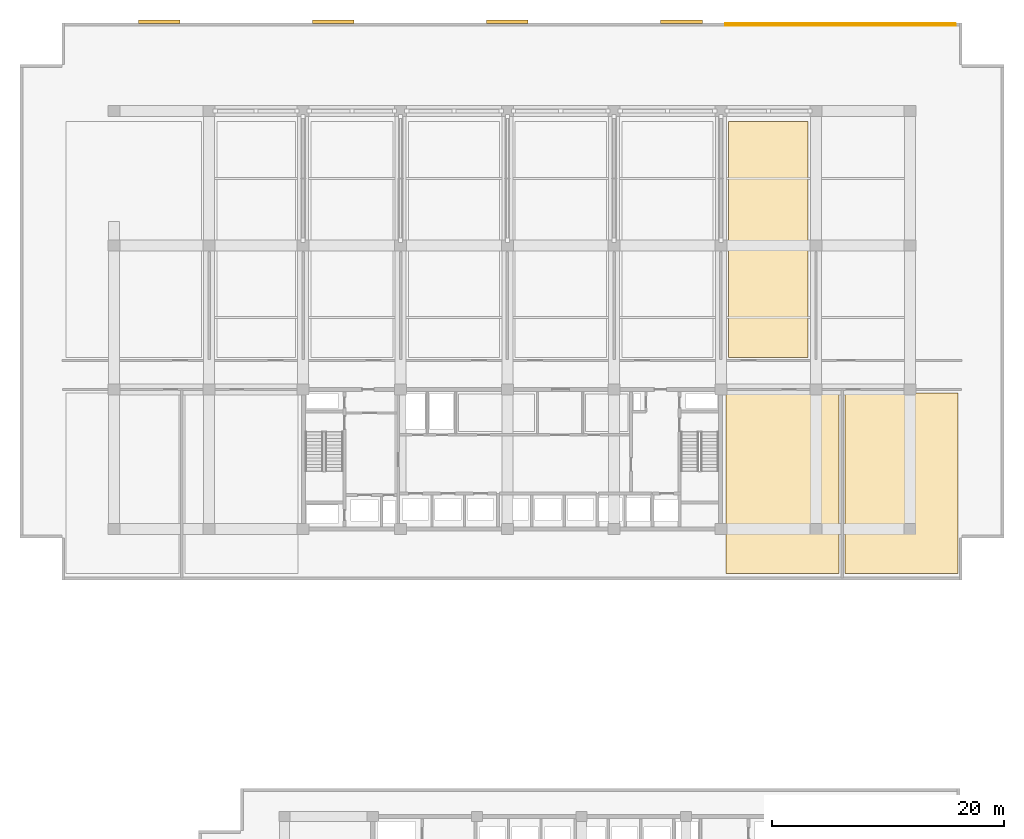
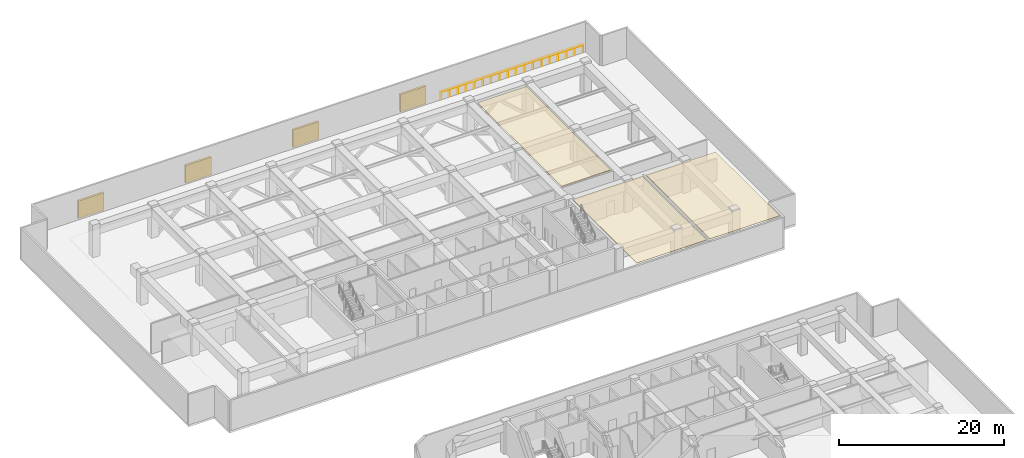
# One storey, part 21 of 21: 4 shading devices, 3 coverings, 2 railings.
"""IFC4 building model written with IfcOpenShell, lengths in metres."""

from ifc_helpers import new_model, si_unit, direction, frame, origin, origin_2d, place, context, subcontext, project, spatial, polyline, rectangle, circle, outline, extrude, material, layer, layer_set, type_object, element, save


model = new_model("IFC4")

# Units and contexts
model_context = context("Model", 3, precision=1e-05, world=origin(), true_north=direction((0.0, 1.0)))
body_context = subcontext(model_context, "Body", "Model", "MODEL_VIEW")
ifc_project = project(units=[si_unit("LENGTHUNIT", "METRE"), si_unit("AREAUNIT", "SQUARE_METRE"), si_unit("VOLUMEUNIT", "CUBIC_METRE"), si_unit("PLANEANGLEUNIT", "RADIAN"), si_unit("MASSUNIT", "GRAM", prefix="KILO")], contexts=[model_context])

# Site, building, storey
site_placement = place(None, origin())
site = spatial("IfcSite", under=ifc_project, at=site_placement, CompositionType="ELEMENT")
building_placement = place(site_placement, origin())
building = spatial("IfcBuilding", under=site, at=building_placement, Name="Korimba Cascade Residences", CompositionType="ELEMENT")
storey_placement = place(building_placement, frame((0.0, 0.0, 76.0)))
storey = spatial("IfcBuildingStorey", under=building, at=storey_placement, Name="L21", CompositionType="ELEMENT", Elevation=76.0)

# Coverings
ifc_material_1 = material(Name="Mineral Wool Thermal Acoustic Insulation", Category="insulation")
ifc_layer = layer(ifc_material_1, 0.06005859375)
ifc_layer_set = layer_set([ifc_layer], Name="Mineral Wool Thermal Acoustic Insulation")
covering_type = type_object("IfcCoveringType", Name="COV-INS-60", PredefinedType="INSULATION", material=ifc_layer_set)
covering_1_placement = place(storey_placement, frame((0.0, 0.0, 4.419921875)))
element("IfcCovering", 1, at=covering_1_placement, inside=storey, type_object=covering_type, Name="L21 Mineral Wool Acoustic Soffit Insulation L21-PL17", PredefinedType="INSULATION", context=body_context, shape_type="SweptSolid", body=[
    extrude(outline(polyline([(112.77001953125, 69.949951171875), (119.6298828125, 69.949951171875), (119.6298828125, 90.300048828125), (112.77001953125, 90.300048828125), (112.77001953125, 69.949951171875)])), origin(), (0.0, 0.0, 1.0), 0.06005859375),
])
covering_2_placement = place(storey_placement, frame((0.0, 0.0, 4.419921875)))
element("IfcCovering", 2, at=covering_2_placement, inside=storey, type_object=covering_type, Name="L21 Mineral Wool Acoustic Soffit Insulation L21-RWE1", PredefinedType="INSULATION", context=body_context, shape_type="SweptSolid", body=[
    extrude(outline(polyline([(112.550048828125, 51.35009765625), (122.300048828125, 51.35009765625), (122.300048828125, 66.89990234375), (112.550048828125, 66.89990234375), (112.550048828125, 51.35009765625)])), origin(), (0.0, 0.0, 1.0), 0.06005859375),
])
covering_3_placement = place(storey_placement, frame((0.0, 0.0, 4.419921875)))
element("IfcCovering", 3, at=covering_3_placement, inside=storey, type_object=covering_type, Name="L21 Mineral Wool Acoustic Soffit Insulation L21-RWE2", PredefinedType="INSULATION", context=body_context, shape_type="SweptSolid", body=[
    extrude(outline(polyline([(122.800048828125, 51.35009765625), (132.550048828125, 51.35009765625), (132.550048828125, 66.89990234375), (122.800048828125, 66.89990234375), (122.800048828125, 51.35009765625)])), origin(), (0.0, 0.0, 1.0), 0.06005859375),
])

# Railings
ifc_material_2 = material(Name="Painted Galvanised Steel Terrace Guardrail", Category="steel")
railing_type = type_object("IfcRailingType", Name="RLG-TER-1150", PredefinedType="GUARDRAIL", material=ifc_material_2)
railing_1_placement = place(storey_placement, frame((112.5, 98.72998046875, 0.0)))
element("IfcRailing", 4, at=railing_1_placement, inside=storey, type_object=railing_type, Name="L21 Perimeter Guardrail RLG-L21-T1-REF-01", PredefinedType="GUARDRAIL", context=body_context, shape_type="SweptSolid", body=[
    extrude(circle(Radius=0.02392578125, at=origin_2d()), frame((0.0, 0.0, 1.1259765625), z_axis=(1.0, 0.0, 0.0), x_axis=(0.0, 1.0, 0.0)), (0.0, 0.0, 1.0), 19.800048828125),
    extrude(circle(Radius=0.02099609375, at=origin_2d()), origin(), (0.0, 0.0, 1.0), 1.101806640625),
    extrude(circle(Radius=0.02099609375, at=origin_2d()), frame((1.164794921875, 0.0, 0.0)), (0.0, 0.0, 1.0), 1.101806640625),
    extrude(circle(Radius=0.02099609375, at=origin_2d()), frame((2.329345703125, 0.0, 0.0)), (0.0, 0.0, 1.0), 1.101806640625),
    extrude(circle(Radius=0.02099609375, at=origin_2d()), frame((3.494140625, 0.0, 0.0)), (0.0, 0.0, 1.0), 1.101806640625),
    extrude(circle(Radius=0.02099609375, at=origin_2d()), frame((4.658935546875, 0.0, 0.0)), (0.0, 0.0, 1.0), 1.101806640625),
    extrude(circle(Radius=0.02099609375, at=origin_2d()), frame((5.823486328125, 0.0, 0.0)), (0.0, 0.0, 1.0), 1.101806640625),
    extrude(circle(Radius=0.02099609375, at=origin_2d()), frame((6.98828125, 0.0, 0.0)), (0.0, 0.0, 1.0), 1.101806640625),
    extrude(circle(Radius=0.02099609375, at=origin_2d()), frame((8.153076171875, 0.0, 0.0)), (0.0, 0.0, 1.0), 1.101806640625),
    extrude(circle(Radius=0.02099609375, at=origin_2d()), frame((9.317626953125, 0.0, 0.0)), (0.0, 0.0, 1.0), 1.101806640625),
    extrude(circle(Radius=0.02099609375, at=origin_2d()), frame((10.482421875, 0.0, 0.0)), (0.0, 0.0, 1.0), 1.101806640625),
    extrude(circle(Radius=0.02099609375, at=origin_2d()), frame((11.64697265625, 0.0, 0.0)), (0.0, 0.0, 1.0), 1.101806640625),
    extrude(circle(Radius=0.02099609375, at=origin_2d()), frame((12.811767578125, 0.0, 0.0)), (0.0, 0.0, 1.0), 1.101806640625),
    extrude(circle(Radius=0.02099609375, at=origin_2d()), frame((13.9765625, 0.0, 0.0)), (0.0, 0.0, 1.0), 1.101806640625),
    extrude(circle(Radius=0.02099609375, at=origin_2d()), frame((15.14111328125, 0.0, 0.0)), (0.0, 0.0, 1.0), 1.101806640625),
    extrude(circle(Radius=0.02099609375, at=origin_2d()), frame((16.305908203125, 0.0, 0.0)), (0.0, 0.0, 1.0), 1.101806640625),
    extrude(circle(Radius=0.02099609375, at=origin_2d()), frame((17.470703125, 0.0, 0.0)), (0.0, 0.0, 1.0), 1.101806640625),
    extrude(circle(Radius=0.02099609375, at=origin_2d()), frame((18.63525390625, 0.0, 0.0)), (0.0, 0.0, 1.0), 1.101806640625),
    extrude(circle(Radius=0.02099609375, at=origin_2d()), frame((19.800048828125, 0.0, 0.0)), (0.0, 0.0, 1.0), 1.101806640625),
])
railing_2_placement = place(storey_placement, frame((132.300048828125, 98.570068359375, 0.0)))
element("IfcRailing", 5, at=railing_2_placement, inside=storey, type_object=railing_type, Name="L21 Perimeter Guardrail RLG-L21-T1-REF-02", PredefinedType="GUARDRAIL", context=body_context, shape_type="SweptSolid", body=[
    extrude(circle(Radius=0.02392578125, at=origin_2d()), frame((0.0, 0.0, 1.1259765625), z_axis=(-1.0, 0.0, 0.0), x_axis=(0.0, -1.0, 0.0)), (0.0, 0.0, 1.0), 19.800048828125),
    extrude(circle(Radius=0.02099609375, at=origin_2d()), origin(), (0.0, 0.0, 1.0), 1.101806640625),
    extrude(circle(Radius=0.02099609375, at=origin_2d()), frame((-1.164794921875, 0.0, 0.0)), (0.0, 0.0, 1.0), 1.101806640625),
    extrude(circle(Radius=0.02099609375, at=origin_2d()), frame((-2.329345703125, 0.0, 0.0)), (0.0, 0.0, 1.0), 1.101806640625),
    extrude(circle(Radius=0.02099609375, at=origin_2d()), frame((-3.494140625, 0.0, 0.0)), (0.0, 0.0, 1.0), 1.101806640625),
    extrude(circle(Radius=0.02099609375, at=origin_2d()), frame((-4.658935546875, 0.0, 0.0)), (0.0, 0.0, 1.0), 1.101806640625),
    extrude(circle(Radius=0.02099609375, at=origin_2d()), frame((-5.823486328125, 0.0, 0.0)), (0.0, 0.0, 1.0), 1.101806640625),
    extrude(circle(Radius=0.02099609375, at=origin_2d()), frame((-6.98828125, 0.0, 0.0)), (0.0, 0.0, 1.0), 1.101806640625),
    extrude(circle(Radius=0.02099609375, at=origin_2d()), frame((-8.153076171875, 0.0, 0.0)), (0.0, 0.0, 1.0), 1.101806640625),
    extrude(circle(Radius=0.02099609375, at=origin_2d()), frame((-9.317626953125, 0.0, 0.0)), (0.0, 0.0, 1.0), 1.101806640625),
    extrude(circle(Radius=0.02099609375, at=origin_2d()), frame((-10.482421875, 0.0, 0.0)), (0.0, 0.0, 1.0), 1.101806640625),
    extrude(circle(Radius=0.02099609375, at=origin_2d()), frame((-11.64697265625, 0.0, 0.0)), (0.0, 0.0, 1.0), 1.101806640625),
    extrude(circle(Radius=0.02099609375, at=origin_2d()), frame((-12.811767578125, 0.0, 0.0)), (0.0, 0.0, 1.0), 1.101806640625),
    extrude(circle(Radius=0.02099609375, at=origin_2d()), frame((-13.9765625, 0.0, 0.0)), (0.0, 0.0, 1.0), 1.101806640625),
    extrude(circle(Radius=0.02099609375, at=origin_2d()), frame((-15.14111328125, 0.0, 0.0)), (0.0, 0.0, 1.0), 1.101806640625),
    extrude(circle(Radius=0.02099609375, at=origin_2d()), frame((-16.305908203125, 0.0, 0.0)), (0.0, 0.0, 1.0), 1.101806640625),
    extrude(circle(Radius=0.02099609375, at=origin_2d()), frame((-17.470703125, 0.0, 0.0)), (0.0, 0.0, 1.0), 1.101806640625),
    extrude(circle(Radius=0.02099609375, at=origin_2d()), frame((-18.63525390625, 0.0, 0.0)), (0.0, 0.0, 1.0), 1.101806640625),
    extrude(circle(Radius=0.02099609375, at=origin_2d()), frame((-19.800048828125, 0.0, 0.0)), (0.0, 0.0, 1.0), 1.101806640625),
])

# Shading devices
ifc_material_3 = material(Name="Powder-Coated Bronze Acoustic Louvre Bank", Category="aluminium")
shading_device_type = type_object("IfcShadingDeviceType", Name="SHD-LVR-300", PredefinedType="USERDEFINED", material=ifc_material_3)
for number, where, z_axis, x_axis, name in (
    (6, (63.699951171875, 98.89990234375, 0.0), (0.0, 0.0, 1.0), (1.0, 0.0, 0.0), "L21 T1 Plant Acoustic Louvre 1"),
    (7, (78.699951171875, 98.89990234375, 0.0), (0.0, 0.0, 1.0), (1.0, 0.0, 0.0), "L21 T1 Plant Acoustic Louvre 2"),
    (8, (93.699951171875, 98.89990234375, 0.0), (0.0, 0.0, 1.0), (1.0, 0.0, 0.0), "L21 T1 Plant Acoustic Louvre 3"),
    (9, (108.699951171875, 98.89990234375, 0.0), (0.0, 0.0, 1.0), (1.0, 0.0, 0.0), "L21 T1 Plant Acoustic Louvre 4"),
):
    element("IfcShadingDevice", number, at=place(storey_placement, frame(where, z_axis=z_axis, x_axis=x_axis)), inside=storey, type_object=shading_device_type, Name=name, ObjectType="LOUVRE", PredefinedType="USERDEFINED", context=body_context, shape_type="SweptSolid", body=[
        extrude(rectangle(XDim=3.60009765625, YDim=0.300048828125, at=origin_2d()), origin(), (0.0, 0.0, 1.0), 2.60009765625),
    ])

save(model, "model.ifc")
